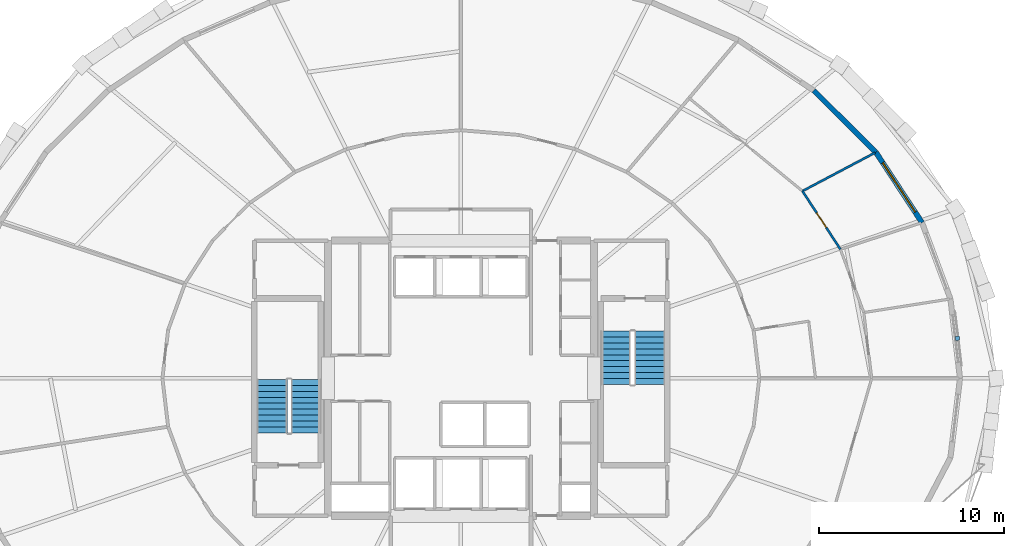
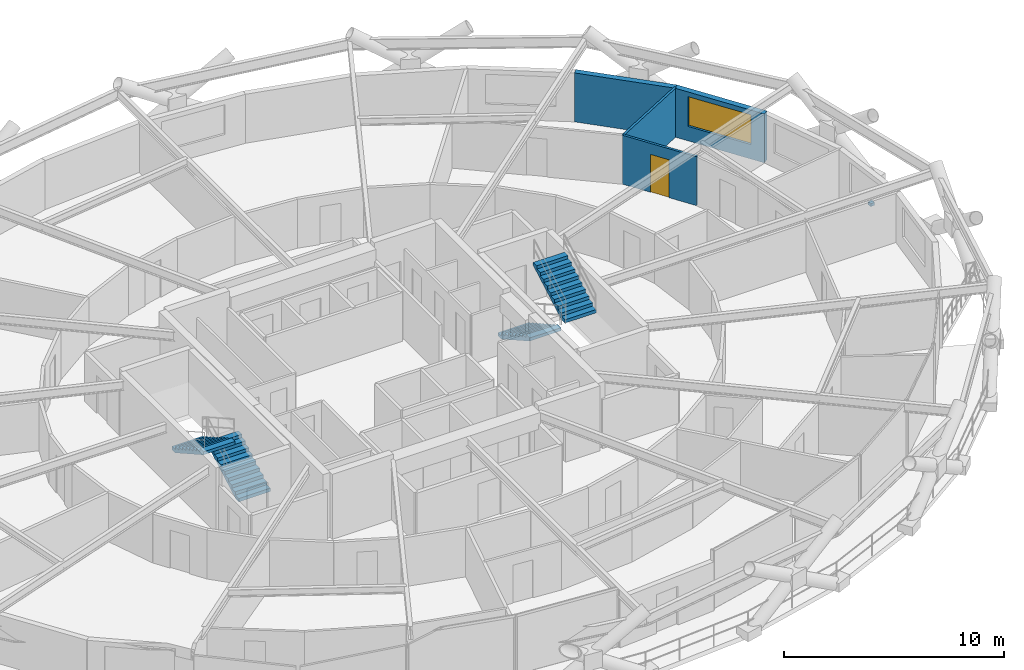
# One storey, part 17 of 19: 4 stair flights, 4 walls, 1 discrete accessory, 1 door, 1 window, 2 openings, 2 elements without a shape of their own.
"""IFC4 building model written with IfcOpenShell, lengths in metres."""

import ifcopenshell
import ifcopenshell.guid

model = None  # the IFC model being written
_history = None  # IfcOwnerHistory: only IFC2X3 demands one
_inside = {}  # id of a spatial element -> (the spatial element, [elements in it])
_under = {}  # id of a project, library or spatial element -> (it, [spatial elements below it])
_declared = {}  # id of a project -> (the project, [libraries it declares])
_typed = {}  # id of a type object -> (the type object, [elements of that type])
_made_of = {}  # id of a material, layer set ... -> (it, [elements and type objects made of it])


def new_model(schema):
    """Start an empty IFC model of exactly this schema.

    Asked for "IFC4X3", IfcOpenShell would pick the latest addendum, in which some entities
    have other attributes; the version numbers below select the first issue.
    IFC2X3 requires an IfcOwnerHistory on every rooted entity: one is made here for all.
    """
    global model, _history
    if schema == "IFC4X3":
        model = ifcopenshell.file(schema_version=(4, 3, 0, 0))
    else:
        model = ifcopenshell.file(schema=schema)
    _inside.clear()
    _under.clear()
    _declared.clear()
    _typed.clear()
    _made_of.clear()
    _history = None
    if model.schema == "IFC2X3":
        org = make("IfcOrganization", Name="unknown")
        user = make(
            "IfcPersonAndOrganization",
            ThePerson=make("IfcPerson", FamilyName="unknown"),
            TheOrganization=org,
        )
        app = make(
            "IfcApplication",
            ApplicationDeveloper=org,
            Version="unknown",
            ApplicationFullName="unknown",
            ApplicationIdentifier="unknown",
        )
        _history = make(
            "IfcOwnerHistory",
            OwningUser=user,
            OwningApplication=app,
            ChangeAction="ADDED",
            CreationDate=0,
        )
    return model


def make(cls, **values):
    """One entity of the class cls with the attributes given. An attribute that is None is left unset."""
    return model.create_entity(
        cls, **{name: value for name, value in values.items() if value is not None}
    )


def rooted(cls, **values):
    """An entity with a GlobalId (a new one), such as an element, a storey or a relation."""
    return make(cls, GlobalId=ifcopenshell.guid.new(), OwnerHistory=_history, **values)


def si_unit(unit_type, name, prefix=None):
    """IfcSIUnit, for example si_unit("LENGTHUNIT", "METRE", prefix="MILLI")."""
    return make("IfcSIUnit", UnitType=unit_type, Prefix=prefix, Name=name)


def assignment(units):
    """IfcUnitAssignment: the units of a project."""
    return None if units is None else make("IfcUnitAssignment", Units=units)


def point(xyz):
    """IfcCartesianPoint."""
    return None if xyz is None else make("IfcCartesianPoint", Coordinates=xyz)


def direction(xyz):
    """IfcDirection."""
    return None if xyz is None else make("IfcDirection", DirectionRatios=xyz)


def frame(location, z_axis=None, x_axis=None):
    """IfcAxis2Placement3D, a coordinate frame: its origin and axes. An axis left out is left unset."""
    return make(
        "IfcAxis2Placement3D",
        Location=point(location),
        Axis=direction(z_axis),
        RefDirection=direction(x_axis),
    )


def frame_2d(location, x_axis=None):
    """IfcAxis2Placement2D, a coordinate frame in the plane: its origin and x axis."""
    return make(
        "IfcAxis2Placement2D", Location=point(location), RefDirection=direction(x_axis)
    )


def origin():
    """The frame at (0, 0, 0) with its axes left unset."""
    return frame((0.0, 0.0, 0.0))


def origin_2d():
    """The frame at (0, 0) in the plane with its x axis left unset."""
    return frame_2d((0.0, 0.0))


def place(relative_to, where):
    """IfcLocalPlacement: puts the frame where relative to a parent placement (None: the world)."""
    return make(
        "IfcLocalPlacement", PlacementRelTo=relative_to, RelativePlacement=where
    )


def context(
    kind, dimensions, precision=None, world=None, true_north=None, identifier=None
):
    """IfcGeometricRepresentationContext, for example the 3D "Model" context."""
    return make(
        "IfcGeometricRepresentationContext",
        ContextIdentifier=identifier,
        ContextType=kind,
        CoordinateSpaceDimension=dimensions,
        Precision=precision,
        WorldCoordinateSystem=world,
        TrueNorth=true_north,
    )


def subcontext(parent, identifier, kind, view, scale=None):
    """IfcGeometricRepresentationSubContext, for example "Body" below "Model"."""
    return make(
        "IfcGeometricRepresentationSubContext",
        ContextIdentifier=identifier,
        ContextType=kind,
        ParentContext=parent,
        TargetScale=scale,
        TargetView=view,
    )


def project(units=None, contexts=None):
    """IfcProject with its units and contexts."""
    return rooted(
        "IfcProject",
        Name="project",
        RepresentationContexts=contexts,
        UnitsInContext=assignment(units),
    )


def spatial(cls, under=None, at=None, **own):
    """A site, building, storey or space (cls), placed at a placement, below another one or the project."""
    s = rooted(cls, ObjectPlacement=at, **own)
    if under is not None:
        _under.setdefault(under.id(), (under, []))[1].append(s)
    return s


def polyline(points):
    """IfcPolyline through the points."""
    return make("IfcPolyline", Points=[point(p) for p in points])


def profile(cls, at=None, kind="AREA", **sizes):
    """A parametric profile (cls). Its sizes go by their IFC names, for example OverallWidth=200.0."""
    return make(cls, ProfileType=kind, Position=at, **sizes)


def rectangle(**sizes):
    """IfcRectangleProfileDef."""
    return profile("IfcRectangleProfileDef", **sizes)


def outline(outer, holes=None, kind="AREA"):
    """IfcArbitraryClosedProfileDef: a profile drawn as a closed curve; with holes, ...WithVoids."""
    if holes is None:
        return make("IfcArbitraryClosedProfileDef", ProfileType=kind, OuterCurve=outer)
    return make(
        "IfcArbitraryProfileDefWithVoids",
        ProfileType=kind,
        OuterCurve=outer,
        InnerCurves=holes,
    )


def extrude(swept, where, along, depth):
    """IfcExtrudedAreaSolid: the profile swept, set in the frame where, extruded along a direction by depth."""
    return make(
        "IfcExtrudedAreaSolid",
        SweptArea=swept,
        Position=where,
        ExtrudedDirection=direction(along),
        Depth=depth,
    )


def shape(context_of_items, identifier, shape_type, items):
    """IfcShapeRepresentation: the items that make up one representation, for example the "Body"."""
    return make(
        "IfcShapeRepresentation",
        ContextOfItems=context_of_items,
        RepresentationIdentifier=identifier,
        RepresentationType=shape_type,
        Items=items,
    )


def material(Name=None, Category=None):
    """IfcMaterial."""
    return make("IfcMaterial", Name=Name, Category=Category)


def layer(
    of_material, thickness, ventilated=None, Name=None, Category=None, Priority=None
):
    """IfcMaterialLayer: one layer of a wall or slab, of a material (None: an air gap)."""
    return make(
        "IfcMaterialLayer",
        Material=of_material,
        LayerThickness=thickness,
        IsVentilated=ventilated,
        Name=Name,
        Category=Category,
        Priority=Priority,
    )


def layer_set(layers, Name=None):
    """IfcMaterialLayerSet."""
    return make("IfcMaterialLayerSet", MaterialLayers=layers, LayerSetName=Name)


def made_of(thing, what):
    """Note that an element or type object is made of a material, layer set ...; save() writes the relation."""
    if what is not None:
        _made_of.setdefault(what.id(), (what, []))[1].append(thing)
    return thing


def type_object(cls, material=None, **own):
    """A type object (cls), such as IfcWallType, which elements share."""
    return made_of(rooted(cls, **own), material)


def element(
    cls,
    number,
    at=None,
    inside=None,
    cuts=None,
    type_object=None,
    material=None,
    context=None,
    identifier="Body",
    shape_type=None,
    held_by="IfcProductDefinitionShape",
    body=None,
    shapes=None,
    **own,
):
    """One element of the class cls, such as IfcWall. Its Tag is "e" and its number.

    at: its placement. inside: the storey or other place that contains it. cuts: it is an
    opening in that element (IfcRelVoidsElement). A single representation is given by context,
    identifier, shape_type and body (its items); several are given by shapes. held_by: the class
    of the entity that holds the representations. save() writes the other relations.
    """
    e = rooted(cls, Tag="e%d" % number, ObjectPlacement=at, **own)
    if body is not None:
        shapes = [shape(context, identifier, shape_type, body)]
    if shapes is not None:
        e.Representation = make(held_by, Representations=shapes)
    if inside is not None:
        _inside.setdefault(inside.id(), (inside, []))[1].append(e)
    if cuts is not None:
        rooted(
            "IfcRelVoidsElement", RelatingBuildingElement=cuts, RelatedOpeningElement=e
        )
    if type_object is not None:
        _typed.setdefault(type_object.id(), (type_object, []))[1].append(e)
    return made_of(e, material)


def fill(opening, filler):
    """IfcRelFillsElement: the door or window that sits in an opening."""
    return rooted(
        "IfcRelFillsElement",
        RelatingOpeningElement=opening,
        RelatedBuildingElement=filler,
    )


def aggregate(whole, parts):
    """IfcRelAggregates: a whole, such as a stair, and the parts it consists of."""
    return rooted("IfcRelAggregates", RelatingObject=whole, RelatedObjects=parts)


def save(model, path):
    """Write the relations noted so far, then the file.

    IfcRelAggregates (storeys below a building ...), IfcRelContainedInSpatialStructure (elements
    in a storey), IfcRelDefinesByType, IfcRelAssociatesMaterial and IfcRelDeclares: one each for
    every whole, place, type object, material and project.
    """
    for whole, parts in _under.values():
        aggregate(whole, parts)
    for where, things in _inside.values():
        rooted(
            "IfcRelContainedInSpatialStructure",
            RelatedElements=things,
            RelatingStructure=where,
        )
    for kind, things in _typed.values():
        rooted("IfcRelDefinesByType", RelatedObjects=things, RelatingType=kind)
    for what, things in _made_of.values():
        rooted("IfcRelAssociatesMaterial", RelatedObjects=things, RelatingMaterial=what)
    for by, libraries in _declared.values():
        rooted("IfcRelDeclares", RelatingContext=by, RelatedDefinitions=libraries)
    model.write(path)


model = new_model("IFC4")

# Units and contexts
model_context = context("Model", 3, precision=1e-05, world=origin(), true_north=direction((0.0, 1.0)))
body_context = subcontext(model_context, "Body", "Model", "MODEL_VIEW")
ifc_project = project(units=[si_unit("LENGTHUNIT", "METRE"), si_unit("AREAUNIT", "SQUARE_METRE"), si_unit("VOLUMEUNIT", "CUBIC_METRE"), si_unit("PLANEANGLEUNIT", "RADIAN"), si_unit("MASSUNIT", "GRAM", prefix="KILO")], contexts=[model_context])

# Site, building, storey
site_placement = place(None, origin())
site = spatial("IfcSite", under=ifc_project, at=site_placement, CompositionType="ELEMENT")
building_placement = place(site_placement, origin())
building = spatial("IfcBuilding", under=site, at=building_placement, Name="Veldorina Hangang Commons", CompositionType="ELEMENT")
storey_placement = place(building_placement, frame((0.0, 0.0, 77.199951171875)))
storey = spatial("IfcBuildingStorey", under=building, at=storey_placement, Name="L19", CompositionType="ELEMENT", Elevation=77.199951171875)

# Wall, opening, window
ifc_material_1 = material(Name="Stone Roman Travertine", Category="masonry")
ifc_layer_1 = layer(ifc_material_1, 0.280029296875)
ifc_layer_set_1 = layer_set([ifc_layer_1], Name="Stone Roman Travertine")
wall_type_1 = type_object("IfcWallType", Name="EW-TRAV-280", PredefinedType="STANDARD", material=ifc_layer_set_1)
wall_1_placement = place(storey_placement, frame((56.972900390625, 32.4306640625, 0.0), z_axis=(0.0, 0.0, 1.0), x_axis=(-0.548388300237, 0.836223817027, 0.0)))
wall_1 = element("IfcWall", 1, at=wall_1_placement, inside=storey, type_object=wall_type_1, Name="L19 travertine facade wall 02", PredefinedType="STANDARD", context=body_context, shape_type="SweptSolid", body=[
    extrude(rectangle(XDim=4.5546875, YDim=0.280029296875, at=frame_2d((2.27734375, 0.0))), origin(), (0.0, 0.0, 1.0), 2.7099609375),
])
opening_1_placement = place(wall_1_placement, frame((0.677490234375, 0.0, 0.800048828125)))
opening_1 = element("IfcOpeningElement", 2, at=opening_1_placement, cuts=wall_1, Name="Opening W-01", PredefinedType="OPENING", context=body_context, shape_type="SweptSolid", body=[
    extrude(rectangle(XDim=3.199951171875, YDim=1.64990234375, at=frame_2d((1.60009765625, 0.824951171875))), frame((0.0, 0.14990234375, 0.0), z_axis=(0.0, -1.0, 0.0), x_axis=(1.0, 0.0, 0.0)), (0.0, 0.0, 1.0), 0.300048828125),
])
ifc_material_2 = material(Name="Glass Low-E Triple IGU", Category="glass")
window_type = type_object("IfcWindowType", Name="WIN-TWR-3200", PartitioningType="SINGLE_PANEL", PredefinedType="WINDOW", material=ifc_material_2)
window_placement = place(opening_1_placement, origin())
window = element("IfcWindow", 3, at=window_placement, inside=storey, type_object=window_type, Name="L19 facade window 02", OverallHeight=1.64990234375, OverallWidth=3.199951171875, PartitioningType="SINGLE_PANEL", PredefinedType="WINDOW", context=body_context, shape_type="SweptSolid", body=[
    extrude(rectangle(XDim=3.199951171875, YDim=1.64990234375, at=frame_2d((1.60009765625, 0.824951171875))), frame((0.0, 0.030029296875, 0.0), z_axis=(0.0, -1.0, 0.0), x_axis=(1.0, 0.0, 0.0)), (0.0, 0.0, 1.0), 0.06005859375),
])
fill(opening_1, window)

# Wall
wall_2_placement = place(storey_placement, frame((54.47509765625, 36.239501953125, 0.0), z_axis=(0.0, 0.0, 1.0), x_axis=(-0.709550335899, 0.704654752929, 0.0)))
element("IfcWall", 4, at=wall_2_placement, inside=storey, type_object=wall_type_1, Name="L19 travertine facade wall 03", PredefinedType="STANDARD", context=body_context, shape_type="SweptSolid", body=[
    extrude(rectangle(XDim=4.737548828125, YDim=0.280029296875, at=frame_2d((2.36865234375, 0.0))), origin(), (0.0, 0.0, 1.0), 2.7099609375),
])

# Wall, opening, door
ifc_material_3 = material(Name="Gypsum Acoustic Stud Partition", Category="gypsum")
ifc_layer_2 = layer(ifc_material_3, 0.1201171875)
ifc_layer_set_2 = layer_set([ifc_layer_2], Name="Gypsum Acoustic Stud Partition")
wall_type_2 = type_object("IfcWallType", Name="WL-PART-120", PredefinedType="PARTITIONING", material=ifc_layer_set_2)
wall_3_placement = place(storey_placement, frame((52.5546875, 30.983154296875, 0.0), z_axis=(0.0, 0.0, 1.0), x_axis=(-0.545947365594, 0.837819475783, 0.0)))
wall_3 = element("IfcWall", 5, at=wall_3_placement, inside=storey, type_object=wall_type_2, Name="L19 Cluster 3 bed 3 front wall 103", PredefinedType="PARTITIONING", context=body_context, shape_type="SweptSolid", body=[
    extrude(rectangle(XDim=3.765869140625, YDim=0.1201171875, at=frame_2d((1.8828125, 0.0))), origin(), (0.0, 0.0, 1.0), 2.7099609375),
])
opening_2_placement = place(wall_3_placement, frame((1.40771484375, 0.0, 0.0)))
opening_2 = element("IfcOpeningElement", 6, at=opening_2_placement, cuts=wall_3, Name="Opening D-02", PredefinedType="OPENING", context=body_context, shape_type="SweptSolid", body=[
    extrude(rectangle(XDim=0.949951171875, YDim=2.10009765625, at=frame_2d((0.47509765625, 1.050048828125))), frame((0.0, 0.070068359375, 0.0), z_axis=(0.0, -1.0, 0.0), x_axis=(1.0, 0.0, 0.0)), (0.0, 0.0, 1.0), 0.14013671875),
])
ifc_material_4 = material(Name="Timber Solid Core Acoustic", Category="wood")
door_type = type_object("IfcDoorType", Name="DR-INT-950", OperationType="SINGLE_SWING_LEFT", PredefinedType="DOOR", material=ifc_material_4)
door_placement = place(opening_2_placement, origin())
door = element("IfcDoor", 7, at=door_placement, inside=storey, type_object=door_type, Name="L19 Cluster 3 bed 3 door 034", OperationType="SINGLE_SWING_RIGHT", OverallHeight=2.10009765625, OverallWidth=0.949951171875, PredefinedType="DOOR", context=body_context, shape_type="SweptSolid", body=[
    extrude(rectangle(XDim=0.949951171875, YDim=2.10009765625, at=frame_2d((0.47509765625, 1.050048828125))), frame((0.0, 0.02490234375, 0.0), z_axis=(0.0, -1.0, 0.0), x_axis=(1.0, 0.0, 0.0)), (0.0, 0.0, 1.0), 0.050048828125),
])
fill(opening_2, door)

# Wall
wall_4_placement = place(storey_placement, frame((50.498779296875, 34.13818359375, 0.0), z_axis=(0.0, 0.0, 1.0), x_axis=(0.884144182687, 0.467214152418, 0.0)))
element("IfcWall", 8, at=wall_4_placement, inside=storey, type_object=wall_type_2, Name="L19 Cluster 3 bed divider 3 106", PredefinedType="PARTITIONING", context=body_context, shape_type="SweptSolid", body=[
    extrude(rectangle(XDim=4.447265625, YDim=0.1201171875, at=frame_2d((2.2236328125, 0.0))), origin(), (0.0, 0.0, 1.0), 2.7099609375),
])

# Stair, stair flights
ifc_material_5 = material(Name="Concrete C40/50", Category="concrete")
stair_type = type_object("IfcStairType", Name="STR-DOG-1650-20R", PredefinedType="HALF_TURN_STAIR", material=ifc_material_5)
stair_1_placement = place(storey_placement, origin())
stair_1 = element("IfcStair", 9, at=stair_1_placement, inside=storey, type_object=stair_type, Name="L19 Exit stair ST-1", PredefinedType="HALF_TURN_STAIR")
stair_flight_type = type_object("IfcStairFlightType", Name="SFL-STR-1650-20R", PredefinedType="STRAIGHT", material=ifc_material_5)
stair_flight_1_placement = place(storey_placement, frame((23.625, 21.050048828125, 0.0), z_axis=(0.0, 0.0, 1.0), x_axis=(0.0, 1.0, 0.0)))
stair_flight_1 = element("IfcStairFlight", 10, at=stair_flight_1_placement, type_object=stair_flight_type, Name="ST-1 flight 1", NumberOfRisers=10, NumberOfTreads=9, PredefinedType="STRAIGHT", RiserHeight=0.18, TreadLength=0.32, context=body_context, shape_type="SweptSolid", body=[
    extrude(outline(polyline([(0.0, 0.0), (0.0, 0.179931640625), (0.320068359375, 0.179931640625), (0.320068359375, 0.360107421875), (0.639892578125, 0.360107421875), (0.639892578125, 0.5400390625), (0.9599609375, 0.5400390625), (0.9599609375, 0.719970703125), (1.280029296875, 0.719970703125), (1.280029296875, 0.89990234375), (1.60009765625, 0.89990234375), (1.60009765625, 1.080078125), (1.919921875, 1.080078125), (1.919921875, 1.260009765625), (2.239990234375, 1.260009765625), (2.239990234375, 1.43994140625), (2.56005859375, 1.43994140625), (2.56005859375, 1.6201171875), (2.8798828125, 1.6201171875), (2.8798828125, 1.800048828125), (2.8798828125, 1.447998046875), (0.3056640625, 0.0), (0.0, 0.0)])), frame((0.0, 0.824951171875, 0.0), z_axis=(0.0, -1.0, 0.0), x_axis=(1.0, 0.0, 0.0)), (0.0, 0.0, 1.0), 1.64990234375),
])
stair_flight_2_placement = place(storey_placement, frame((21.77490234375, 23.929931640625, 1.800048828125), z_axis=(0.0, 0.0, 1.0), x_axis=(0.0, -1.0, 0.0)))
stair_flight_2 = element("IfcStairFlight", 11, at=stair_flight_2_placement, type_object=stair_flight_type, Name="ST-1 flight 2", NumberOfRisers=10, NumberOfTreads=9, PredefinedType="STRAIGHT", RiserHeight=0.18, TreadLength=0.32, context=body_context, shape_type="SweptSolid", body=[
    extrude(outline(polyline([(0.0, 0.0), (0.0, 0.179931640625), (0.320068359375, 0.179931640625), (0.320068359375, 0.360107421875), (0.639892578125, 0.360107421875), (0.639892578125, 0.5400390625), (0.9599609375, 0.5400390625), (0.9599609375, 0.719970703125), (1.280029296875, 0.719970703125), (1.280029296875, 0.89990234375), (1.60009765625, 0.89990234375), (1.60009765625, 1.080078125), (1.919921875, 1.080078125), (1.919921875, 1.260009765625), (2.239990234375, 1.260009765625), (2.239990234375, 1.43994140625), (2.56005859375, 1.43994140625), (2.56005859375, 1.6201171875), (2.8798828125, 1.6201171875), (2.8798828125, 1.800048828125), (2.8798828125, 1.447998046875), (0.3056640625, 0.0), (0.0, 0.0)])), frame((0.0, 0.824951171875, 0.0), z_axis=(0.0, -1.0, 0.0), x_axis=(1.0, 0.0, 0.0)), (0.0, 0.0, 1.0), 1.64990234375),
])
aggregate(stair_1, [stair_flight_1, stair_flight_2])

stair_2_placement = place(storey_placement, origin())
stair_2 = element("IfcStair", 12, at=stair_2_placement, inside=storey, type_object=stair_type, Name="L19 Exit stair ST-2", PredefinedType="HALF_TURN_STAIR")
stair_flight_3_placement = place(storey_placement, frame((40.375, 26.550048828125, 0.0), z_axis=(0.0, 0.0, 1.0), x_axis=(0.0, -1.0, 0.0)))
stair_flight_3 = element("IfcStairFlight", 13, at=stair_flight_3_placement, type_object=stair_flight_type, Name="ST-2 flight 1", NumberOfRisers=10, NumberOfTreads=9, PredefinedType="STRAIGHT", RiserHeight=0.18, TreadLength=0.32, context=body_context, shape_type="SweptSolid", body=[
    extrude(outline(polyline([(0.0, 0.0), (0.0, 0.179931640625), (0.320068359375, 0.179931640625), (0.320068359375, 0.360107421875), (0.639892578125, 0.360107421875), (0.639892578125, 0.5400390625), (0.9599609375, 0.5400390625), (0.9599609375, 0.719970703125), (1.280029296875, 0.719970703125), (1.280029296875, 0.89990234375), (1.60009765625, 0.89990234375), (1.60009765625, 1.080078125), (1.919921875, 1.080078125), (1.919921875, 1.260009765625), (2.239990234375, 1.260009765625), (2.239990234375, 1.43994140625), (2.56005859375, 1.43994140625), (2.56005859375, 1.6201171875), (2.8798828125, 1.6201171875), (2.8798828125, 1.800048828125), (2.8798828125, 1.447998046875), (0.3056640625, 0.0), (0.0, 0.0)])), frame((0.0, 0.824951171875, 0.0), z_axis=(0.0, -1.0, 0.0), x_axis=(1.0, 0.0, 0.0)), (0.0, 0.0, 1.0), 1.64990234375),
])
stair_flight_4_placement = place(storey_placement, frame((42.22509765625, 23.669921875, 1.800048828125), z_axis=(0.0, 0.0, 1.0), x_axis=(0.0, 1.0, 0.0)))
stair_flight_4 = element("IfcStairFlight", 14, at=stair_flight_4_placement, type_object=stair_flight_type, Name="ST-2 flight 2", NumberOfRisers=10, NumberOfTreads=9, PredefinedType="STRAIGHT", RiserHeight=0.18, TreadLength=0.32, context=body_context, shape_type="SweptSolid", body=[
    extrude(outline(polyline([(0.0, 0.0), (0.0, 0.179931640625), (0.320068359375, 0.179931640625), (0.320068359375, 0.360107421875), (0.639892578125, 0.360107421875), (0.639892578125, 0.5400390625), (0.9599609375, 0.5400390625), (0.9599609375, 0.719970703125), (1.280029296875, 0.719970703125), (1.280029296875, 0.89990234375), (1.60009765625, 0.89990234375), (1.60009765625, 1.080078125), (1.919921875, 1.080078125), (1.919921875, 1.260009765625), (2.239990234375, 1.260009765625), (2.239990234375, 1.43994140625), (2.56005859375, 1.43994140625), (2.56005859375, 1.6201171875), (2.8798828125, 1.6201171875), (2.8798828125, 1.800048828125), (2.8798828125, 1.447998046875), (0.3056640625, 0.0), (0.0, 0.0)])), frame((0.0, 0.824951171875, 0.0), z_axis=(0.0, -1.0, 0.0), x_axis=(1.0, 0.0, 0.0)), (0.0, 0.0, 1.0), 1.64990234375),
])
aggregate(stair_2, [stair_flight_3, stair_flight_4])

# Discrete accessory
ifc_material_6 = material(Name="Stainless Steel Brushed 316", Category="steel")
discrete_accessory_type = type_object("IfcDiscreteAccessoryType", Name="BRK-SCR-SS", PredefinedType="BRACKET", material=ifc_material_6)
discrete_accessory_placement = place(storey_placement, frame((58.889892578125, 26.163330078125, 0.72021484375), z_axis=(0.0, 0.0, 1.0), x_axis=(-0.119980895395, 0.992776200732, 0.0)))
element("IfcDiscreteAccessory", 15, at=discrete_accessory_placement, inside=storey, type_object=discrete_accessory_type, Name="L19 solar screen support bracket 00", PredefinedType="BRACKET", context=body_context, shape_type="SweptSolid", body=[
    extrude(rectangle(XDim=0.219970703125, YDim=0.219970703125, at=origin_2d()), origin(), (0.0, 0.0, 1.0), 0.159912109375),
])

save(model, "model.ifc")
